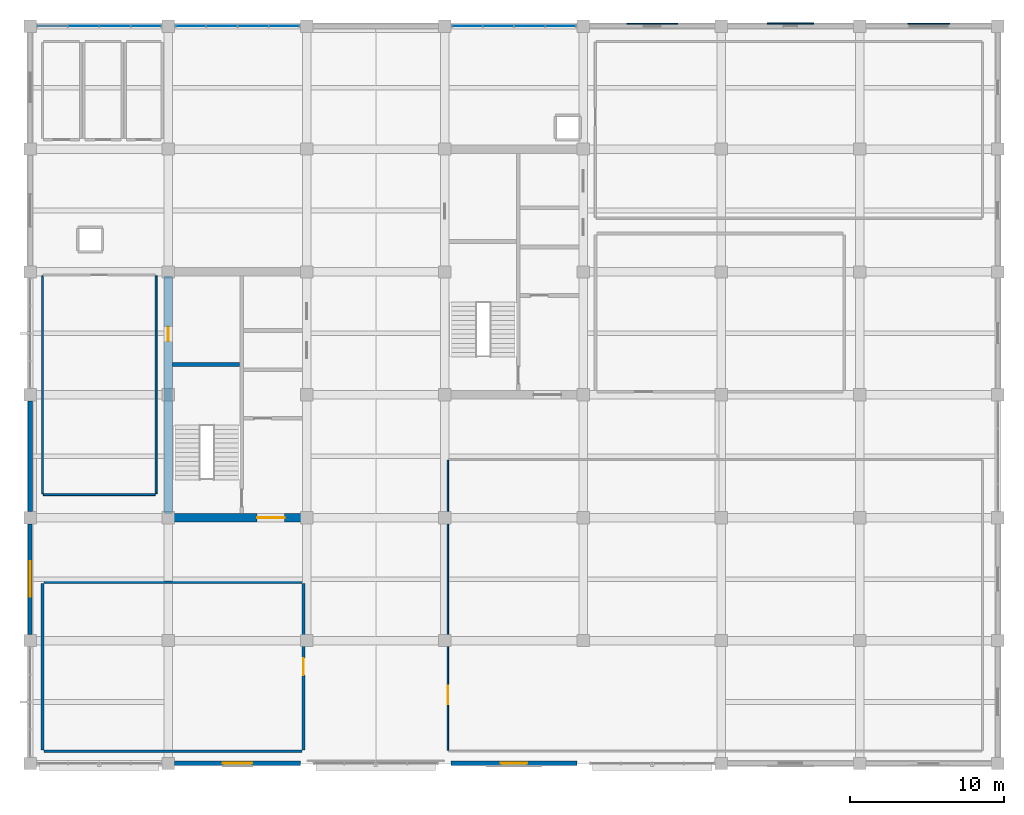
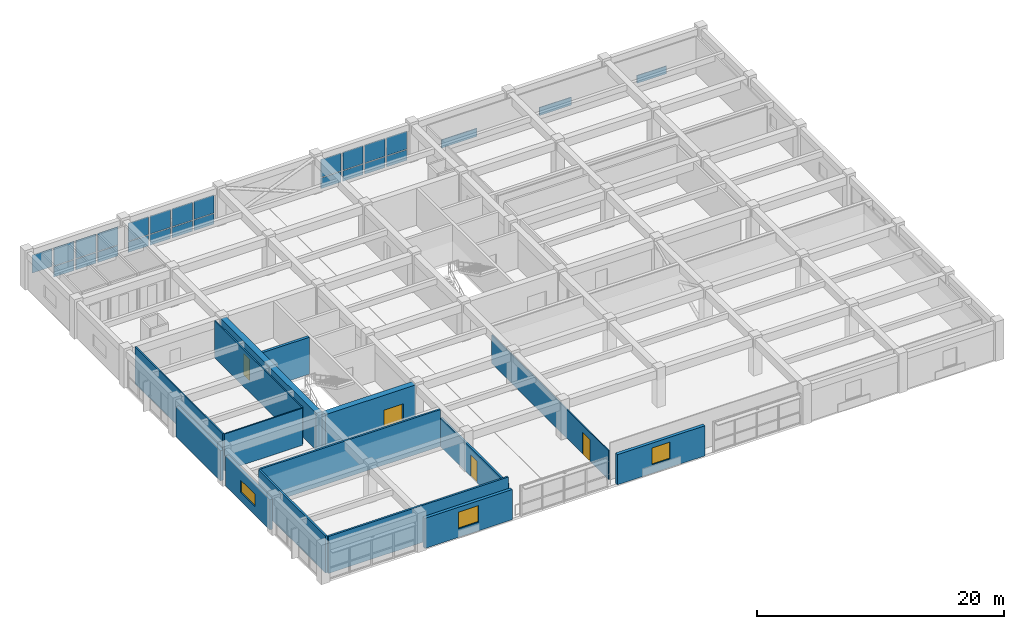
# One storey, part 12 of 16: 26 plates, 15 walls, 4 doors, 3 windows, 7 openings, 3 elements without a shape of their own.
"""IFC4 building model written with IfcOpenShell, lengths in metres."""

from ifc_helpers import new_model, si_unit, direction, frame, frame_2d, origin, place, context, subcontext, project, spatial, rectangle, extrude, material, layer, layer_set, type_object, element, fill, aggregate, save


model = new_model("IFC4")

# Units and contexts
model_context = context("Model", 3, precision=1e-05, world=origin(), true_north=direction((0.0, 1.0)))
body_context = subcontext(model_context, "Body", "Model", "MODEL_VIEW")
ifc_project = project(units=[si_unit("LENGTHUNIT", "METRE"), si_unit("AREAUNIT", "SQUARE_METRE"), si_unit("VOLUMEUNIT", "CUBIC_METRE"), si_unit("PLANEANGLEUNIT", "RADIAN"), si_unit("MASSUNIT", "GRAM", prefix="KILO")], contexts=[model_context])

# Site, building, storey
site_placement = place(None, origin())
site = spatial("IfcSite", under=ifc_project, at=site_placement, CompositionType="ELEMENT")
building_placement = place(site_placement, origin())
building = spatial("IfcBuilding", under=site, at=building_placement, Name="Zaverband Oceanarium and Marine Research Institute", CompositionType="ELEMENT")
storey_placement = place(building_placement, frame((0.0, 0.0, 37.5)))
storey = spatial("IfcBuildingStorey", under=building, at=storey_placement, Name="L09", CompositionType="ELEMENT", Elevation=37.5)

# Curtain wall, plates
ifc_material_1 = material(Name="Thermally broken anodized aluminium and solar-control glass", Category="aluminium")
curtain_wall_type = type_object("IfcCurtainWallType", Name="CW-UNIT-1800", PredefinedType="NOTDEFINED", material=ifc_material_1)
curtain_wall_1_placement = place(storey_placement, origin())
curtain_wall_1 = element("IfcCurtainWall", 1, at=curtain_wall_1_placement, inside=storey, type_object=curtain_wall_type, Name="Unitised glazed curtain wall CW-106", PredefinedType="NOTDEFINED")
ifc_material_2 = material(Name="Low-E double-glazed solar-control glass", Category="glass")
ifc_layer_1 = layer(ifc_material_2, 0.033935546875, Name="Low-E double-glazed solar-control glass")
ifc_layer_set_1 = layer_set([ifc_layer_1], Name="Low-E double-glazed solar-control glass")
plate_type_1 = type_object("IfcPlateType", Name="CWP-1820x1043", PredefinedType="CURTAIN_PANEL", material=ifc_layer_set_1)
plate_1_placement = place(storey_placement, frame((11.532470703125, 112.0, 0.050048828125), z_axis=(0.0, 0.0, 1.0), x_axis=(1.0, 0.0, 0.0)))
plate_1 = element("IfcPlate", 2, at=plate_1_placement, type_object=plate_type_1, Name="Glazed curtain wall panel CWP-1820x1043", PredefinedType="CURTAIN_PANEL", context=body_context, shape_type="SweptSolid", body=[
    extrude(rectangle(XDim=1.887451171875, YDim=0.033935546875, at=frame_2d((0.94384765625, 0.0))), origin(), (0.0, 0.0, 1.0), 1.04296875),
])
plate_2_placement = place(storey_placement, frame((13.580078125, 112.0, 0.050048828125), z_axis=(0.0, 0.0, 1.0), x_axis=(1.0, 0.0, 0.0)))
plate_2 = element("IfcPlate", 3, at=plate_2_placement, type_object=plate_type_1, Name="Glazed curtain wall panel CWP-1820x1043", PredefinedType="CURTAIN_PANEL", context=body_context, shape_type="SweptSolid", body=[
    extrude(rectangle(XDim=1.887451171875, YDim=0.033935546875, at=frame_2d((0.94384765625, 0.0))), origin(), (0.0, 0.0, 1.0), 1.04296875),
])
plate_3_placement = place(storey_placement, frame((15.62744140625, 112.0, 0.050048828125), z_axis=(0.0, 0.0, 1.0), x_axis=(1.0, 0.0, 0.0)))
plate_3 = element("IfcPlate", 4, at=plate_3_placement, type_object=plate_type_1, Name="Glazed curtain wall panel CWP-1820x1043", PredefinedType="CURTAIN_PANEL", context=body_context, shape_type="SweptSolid", body=[
    extrude(rectangle(XDim=1.887451171875, YDim=0.033935546875, at=frame_2d((0.94384765625, 0.0))), origin(), (0.0, 0.0, 1.0), 1.04296875),
])

curtain_wall_2_placement = place(storey_placement, origin())
curtain_wall_2 = element("IfcCurtainWall", 5, at=curtain_wall_2_placement, inside=storey, type_object=curtain_wall_type, Name="Unitised glazed curtain wall CW-107", PredefinedType="NOTDEFINED")
plate_4_placement = place(storey_placement, frame((18.485107421875, 112.0, 0.050048828125), z_axis=(0.0, 0.0, 1.0), x_axis=(1.0, 0.0, 0.0)))
plate_4 = element("IfcPlate", 6, at=plate_4_placement, type_object=plate_type_1, Name="Glazed curtain wall panel CWP-1820x1043", PredefinedType="CURTAIN_PANEL", context=body_context, shape_type="SweptSolid", body=[
    extrude(rectangle(XDim=1.887451171875, YDim=0.033935546875, at=frame_2d((0.94384765625, 0.0))), origin(), (0.0, 0.0, 1.0), 1.04296875),
])
plate_5_placement = place(storey_placement, frame((20.532470703125, 112.0, 0.050048828125), z_axis=(0.0, 0.0, 1.0), x_axis=(1.0, 0.0, 0.0)))
plate_5 = element("IfcPlate", 7, at=plate_5_placement, type_object=plate_type_1, Name="Glazed curtain wall panel CWP-1820x1043", PredefinedType="CURTAIN_PANEL", context=body_context, shape_type="SweptSolid", body=[
    extrude(rectangle(XDim=1.887451171875, YDim=0.033935546875, at=frame_2d((0.94384765625, 0.0))), origin(), (0.0, 0.0, 1.0), 1.04296875),
])
plate_6_placement = place(storey_placement, frame((22.580078125, 112.0, 0.050048828125), z_axis=(0.0, 0.0, 1.0), x_axis=(1.0, 0.0, 0.0)))
plate_6 = element("IfcPlate", 8, at=plate_6_placement, type_object=plate_type_1, Name="Glazed curtain wall panel CWP-1820x1043", PredefinedType="CURTAIN_PANEL", context=body_context, shape_type="SweptSolid", body=[
    extrude(rectangle(XDim=1.887451171875, YDim=0.033935546875, at=frame_2d((0.94384765625, 0.0))), origin(), (0.0, 0.0, 1.0), 1.04296875),
])
plate_7_placement = place(storey_placement, frame((24.62744140625, 112.0, 0.050048828125), z_axis=(0.0, 0.0, 1.0), x_axis=(1.0, 0.0, 0.0)))
plate_7 = element("IfcPlate", 9, at=plate_7_placement, type_object=plate_type_1, Name="Glazed curtain wall panel CWP-1820x1043", PredefinedType="CURTAIN_PANEL", context=body_context, shape_type="SweptSolid", body=[
    extrude(rectangle(XDim=1.887451171875, YDim=0.033935546875, at=frame_2d((0.94384765625, 0.0))), origin(), (0.0, 0.0, 1.0), 1.04296875),
])

curtain_wall_3_placement = place(storey_placement, origin())
curtain_wall_3 = element("IfcCurtainWall", 10, at=curtain_wall_3_placement, inside=storey, type_object=curtain_wall_type, Name="Unitised glazed curtain wall CW-108", PredefinedType="NOTDEFINED")
plate_8_placement = place(storey_placement, frame((36.485107421875, 112.0, 0.050048828125), z_axis=(0.0, 0.0, 1.0), x_axis=(1.0, 0.0, 0.0)))
plate_8 = element("IfcPlate", 11, at=plate_8_placement, type_object=plate_type_1, Name="Glazed curtain wall panel CWP-1820x1043", PredefinedType="CURTAIN_PANEL", context=body_context, shape_type="SweptSolid", body=[
    extrude(rectangle(XDim=1.887451171875, YDim=0.033935546875, at=frame_2d((0.94384765625, 0.0))), origin(), (0.0, 0.0, 1.0), 1.04296875),
])
plate_9_placement = place(storey_placement, frame((38.532470703125, 112.0, 0.050048828125), z_axis=(0.0, 0.0, 1.0), x_axis=(1.0, 0.0, 0.0)))
plate_9 = element("IfcPlate", 12, at=plate_9_placement, type_object=plate_type_1, Name="Glazed curtain wall panel CWP-1820x1043", PredefinedType="CURTAIN_PANEL", context=body_context, shape_type="SweptSolid", body=[
    extrude(rectangle(XDim=1.887451171875, YDim=0.033935546875, at=frame_2d((0.94384765625, 0.0))), origin(), (0.0, 0.0, 1.0), 1.04296875),
])
plate_10_placement = place(storey_placement, frame((40.580078125, 112.0, 0.050048828125), z_axis=(0.0, 0.0, 1.0), x_axis=(1.0, 0.0, 0.0)))
plate_10 = element("IfcPlate", 13, at=plate_10_placement, type_object=plate_type_1, Name="Glazed curtain wall panel CWP-1820x1043", PredefinedType="CURTAIN_PANEL", context=body_context, shape_type="SweptSolid", body=[
    extrude(rectangle(XDim=1.887451171875, YDim=0.033935546875, at=frame_2d((0.94384765625, 0.0))), origin(), (0.0, 0.0, 1.0), 1.04296875),
])
plate_11_placement = place(storey_placement, frame((42.62744140625, 112.0, 0.050048828125), z_axis=(0.0, 0.0, 1.0), x_axis=(1.0, 0.0, 0.0)))
plate_11 = element("IfcPlate", 14, at=plate_11_placement, type_object=plate_type_1, Name="Glazed curtain wall panel CWP-1820x1043", PredefinedType="CURTAIN_PANEL", context=body_context, shape_type="SweptSolid", body=[
    extrude(rectangle(XDim=1.887451171875, YDim=0.033935546875, at=frame_2d((0.94384765625, 0.0))), origin(), (0.0, 0.0, 1.0), 1.04296875),
])

# Plate
ifc_layer_2 = layer(ifc_material_2, 0.035888671875, Name="Low-E double-glazed solar-control glass")
ifc_layer_set_2 = layer_set([ifc_layer_2], Name="Low-E double-glazed solar-control glass")
plate_type_2 = type_object("IfcPlateType", Name="CWP-1820x1777", PredefinedType="CURTAIN_PANEL", material=ifc_layer_set_2)
plate_12_placement = place(storey_placement, frame((9.485107421875, 112.0, 1.1630859375), z_axis=(0.0, 0.0, 1.0), x_axis=(1.0, 0.0, 0.0)))
plate_12 = element("IfcPlate", 15, at=plate_12_placement, type_object=plate_type_2, Name="Glazed curtain wall panel CWP-1820x1777", PredefinedType="CURTAIN_PANEL", context=body_context, shape_type="SweptSolid", body=[
    extrude(rectangle(XDim=1.887451171875, YDim=0.035888671875, at=frame_2d((0.94384765625, 0.0))), origin(), (0.0, 0.0, 1.0), 1.77685546875),
])

plate_13_placement = place(storey_placement, frame((11.532470703125, 112.0, 1.1630859375), z_axis=(0.0, 0.0, 1.0), x_axis=(1.0, 0.0, 0.0)))
plate_13 = element("IfcPlate", 16, at=plate_13_placement, type_object=plate_type_2, Name="Glazed curtain wall panel CWP-1820x1777", PredefinedType="CURTAIN_PANEL", context=body_context, shape_type="SweptSolid", body=[
    extrude(rectangle(XDim=1.887451171875, YDim=0.035888671875, at=frame_2d((0.94384765625, 0.0))), origin(), (0.0, 0.0, 1.0), 1.77685546875),
])

plate_14_placement = place(storey_placement, frame((13.580078125, 112.0, 1.1630859375), z_axis=(0.0, 0.0, 1.0), x_axis=(1.0, 0.0, 0.0)))
plate_14 = element("IfcPlate", 17, at=plate_14_placement, type_object=plate_type_2, Name="Glazed curtain wall panel CWP-1820x1777", PredefinedType="CURTAIN_PANEL", context=body_context, shape_type="SweptSolid", body=[
    extrude(rectangle(XDim=1.887451171875, YDim=0.035888671875, at=frame_2d((0.94384765625, 0.0))), origin(), (0.0, 0.0, 1.0), 1.77685546875),
])

plate_15_placement = place(storey_placement, frame((15.62744140625, 112.0, 1.1630859375), z_axis=(0.0, 0.0, 1.0), x_axis=(1.0, 0.0, 0.0)))
plate_15 = element("IfcPlate", 18, at=plate_15_placement, type_object=plate_type_2, Name="Glazed curtain wall panel CWP-1820x1777", PredefinedType="CURTAIN_PANEL", context=body_context, shape_type="SweptSolid", body=[
    extrude(rectangle(XDim=1.887451171875, YDim=0.035888671875, at=frame_2d((0.94384765625, 0.0))), origin(), (0.0, 0.0, 1.0), 1.77685546875),
])

aggregate(curtain_wall_1, [plate_12, plate_1, plate_13, plate_2, plate_14, plate_3, plate_15])

plate_16_placement = place(storey_placement, frame((18.485107421875, 112.0, 1.1630859375), z_axis=(0.0, 0.0, 1.0), x_axis=(1.0, 0.0, 0.0)))
plate_16 = element("IfcPlate", 19, at=plate_16_placement, type_object=plate_type_2, Name="Glazed curtain wall panel CWP-1820x1777", PredefinedType="CURTAIN_PANEL", context=body_context, shape_type="SweptSolid", body=[
    extrude(rectangle(XDim=1.887451171875, YDim=0.035888671875, at=frame_2d((0.94384765625, 0.0))), origin(), (0.0, 0.0, 1.0), 1.77685546875),
])

plate_17_placement = place(storey_placement, frame((20.532470703125, 112.0, 1.1630859375), z_axis=(0.0, 0.0, 1.0), x_axis=(1.0, 0.0, 0.0)))
plate_17 = element("IfcPlate", 20, at=plate_17_placement, type_object=plate_type_2, Name="Glazed curtain wall panel CWP-1820x1777", PredefinedType="CURTAIN_PANEL", context=body_context, shape_type="SweptSolid", body=[
    extrude(rectangle(XDim=1.887451171875, YDim=0.035888671875, at=frame_2d((0.94384765625, 0.0))), origin(), (0.0, 0.0, 1.0), 1.77685546875),
])

plate_18_placement = place(storey_placement, frame((22.580078125, 112.0, 1.1630859375), z_axis=(0.0, 0.0, 1.0), x_axis=(1.0, 0.0, 0.0)))
plate_18 = element("IfcPlate", 21, at=plate_18_placement, type_object=plate_type_2, Name="Glazed curtain wall panel CWP-1820x1777", PredefinedType="CURTAIN_PANEL", context=body_context, shape_type="SweptSolid", body=[
    extrude(rectangle(XDim=1.887451171875, YDim=0.035888671875, at=frame_2d((0.94384765625, 0.0))), origin(), (0.0, 0.0, 1.0), 1.77685546875),
])

plate_19_placement = place(storey_placement, frame((24.62744140625, 112.0, 1.1630859375), z_axis=(0.0, 0.0, 1.0), x_axis=(1.0, 0.0, 0.0)))
plate_19 = element("IfcPlate", 22, at=plate_19_placement, type_object=plate_type_2, Name="Glazed curtain wall panel CWP-1820x1777", PredefinedType="CURTAIN_PANEL", context=body_context, shape_type="SweptSolid", body=[
    extrude(rectangle(XDim=1.887451171875, YDim=0.035888671875, at=frame_2d((0.94384765625, 0.0))), origin(), (0.0, 0.0, 1.0), 1.77685546875),
])

aggregate(curtain_wall_2, [plate_4, plate_16, plate_5, plate_17, plate_6, plate_18, plate_7, plate_19])

plate_20_placement = place(storey_placement, frame((36.485107421875, 112.0, 1.1630859375), z_axis=(0.0, 0.0, 1.0), x_axis=(1.0, 0.0, 0.0)))
plate_20 = element("IfcPlate", 23, at=plate_20_placement, type_object=plate_type_2, Name="Glazed curtain wall panel CWP-1820x1777", PredefinedType="CURTAIN_PANEL", context=body_context, shape_type="SweptSolid", body=[
    extrude(rectangle(XDim=1.887451171875, YDim=0.035888671875, at=frame_2d((0.94384765625, 0.0))), origin(), (0.0, 0.0, 1.0), 1.77685546875),
])

plate_21_placement = place(storey_placement, frame((38.532470703125, 112.0, 1.1630859375), z_axis=(0.0, 0.0, 1.0), x_axis=(1.0, 0.0, 0.0)))
plate_21 = element("IfcPlate", 24, at=plate_21_placement, type_object=plate_type_2, Name="Glazed curtain wall panel CWP-1820x1777", PredefinedType="CURTAIN_PANEL", context=body_context, shape_type="SweptSolid", body=[
    extrude(rectangle(XDim=1.887451171875, YDim=0.035888671875, at=frame_2d((0.94384765625, 0.0))), origin(), (0.0, 0.0, 1.0), 1.77685546875),
])

plate_22_placement = place(storey_placement, frame((40.580078125, 112.0, 1.1630859375), z_axis=(0.0, 0.0, 1.0), x_axis=(1.0, 0.0, 0.0)))
plate_22 = element("IfcPlate", 25, at=plate_22_placement, type_object=plate_type_2, Name="Glazed curtain wall panel CWP-1820x1777", PredefinedType="CURTAIN_PANEL", context=body_context, shape_type="SweptSolid", body=[
    extrude(rectangle(XDim=1.887451171875, YDim=0.035888671875, at=frame_2d((0.94384765625, 0.0))), origin(), (0.0, 0.0, 1.0), 1.77685546875),
])

plate_23_placement = place(storey_placement, frame((42.62744140625, 112.0, 1.1630859375), z_axis=(0.0, 0.0, 1.0), x_axis=(1.0, 0.0, 0.0)))
plate_23 = element("IfcPlate", 26, at=plate_23_placement, type_object=plate_type_2, Name="Glazed curtain wall panel CWP-1820x1777", PredefinedType="CURTAIN_PANEL", context=body_context, shape_type="SweptSolid", body=[
    extrude(rectangle(XDim=1.887451171875, YDim=0.035888671875, at=frame_2d((0.94384765625, 0.0))), origin(), (0.0, 0.0, 1.0), 1.77685546875),
])

aggregate(curtain_wall_3, [plate_8, plate_20, plate_9, plate_21, plate_10, plate_22, plate_11, plate_23])

# Plates
ifc_material_3 = material(Name="Concrete C40/50 precast ochre", Category="concrete")
ifc_layer_3 = layer(ifc_material_3, 0.080078125, Name="Concrete C40/50 precast ochre")
ifc_layer_set_3 = layer_set([ifc_layer_3], Name="Concrete C40/50 precast ochre")
plate_type_3 = type_object("IfcPlateType", Name="FRP-2750x760", PredefinedType="USERDEFINED", material=ifc_layer_set_3)
plate_24_placement = place(storey_placement, frame((66.125, 112.157470703125, 0.0), z_axis=(0.0, 0.0, 1.0), x_axis=(1.0, 0.0, 0.0)))
element("IfcPlate", 27, at=plate_24_placement, inside=storey, type_object=plate_type_3, Name="Geometric precast facade cladding panel FRP-2750x760", ObjectType="FLANGE_PLATE", PredefinedType="USERDEFINED", context=body_context, shape_type="SweptSolid", body=[
    extrude(rectangle(XDim=2.75, YDim=0.080078125, at=frame_2d((1.375, 0.0))), origin(), (0.0, 0.0, 1.0), 0.760009765625),
])
ifc_layer_4 = layer(ifc_material_3, 0.080078125, Name="Concrete C40/50 precast ochre")
ifc_layer_set_4 = layer_set([ifc_layer_4], Name="Concrete C40/50 precast ochre")
plate_type_4 = type_object("IfcPlateType", Name="FRP-3000x780", PredefinedType="USERDEFINED", material=ifc_layer_set_4)
plate_25_placement = place(storey_placement, frame((57.0, 112.169921875, 0.0), z_axis=(0.0, 0.0, 1.0), x_axis=(1.0, 0.0, 0.0)))
element("IfcPlate", 28, at=plate_25_placement, inside=storey, type_object=plate_type_4, Name="Geometric precast facade cladding panel FRP-3000x780", ObjectType="FLANGE_PLATE", PredefinedType="USERDEFINED", context=body_context, shape_type="SweptSolid", body=[
    extrude(rectangle(XDim=3.0, YDim=0.080078125, at=frame_2d((1.5, 0.0))), origin(), (0.0, 0.0, 1.0), 0.780029296875),
])
ifc_layer_5 = layer(ifc_material_3, 0.0849609375, Name="Concrete C40/50 precast ochre")
ifc_layer_set_5 = layer_set([ifc_layer_5], Name="Concrete C40/50 precast ochre")
plate_type_5 = type_object("IfcPlateType", Name="FRP-3300x800", PredefinedType="USERDEFINED", material=ifc_layer_set_5)
plate_26_placement = place(storey_placement, frame((47.85009765625, 112.159912109375, 0.0), z_axis=(0.0, 0.0, 1.0), x_axis=(1.0, 0.0, 0.0)))
element("IfcPlate", 29, at=plate_26_placement, inside=storey, type_object=plate_type_5, Name="Geometric precast facade cladding panel FRP-3300x800", ObjectType="FLANGE_PLATE", PredefinedType="USERDEFINED", context=body_context, shape_type="SweptSolid", body=[
    extrude(rectangle(XDim=3.2998046875, YDim=0.0849609375, at=frame_2d((1.64990234375, 0.0))), origin(), (0.0, 0.0, 1.0), 0.800048828125),
])

# Wall, opening, door
ifc_material_4 = material(Name="Concrete C50/60", Category="concrete")
ifc_layer_6 = layer(ifc_material_4, 0.550048828125, Name="Concrete C50/60")
ifc_layer_set_6 = layer_set([ifc_layer_6], Name="Concrete C50/60")
wall_type_1 = type_object("IfcWallType", Name="CW-01", PredefinedType="SHEAR", material=ifc_layer_set_6)
wall_1_placement = place(storey_placement, frame((18.27490234375, 80.0, 0.0), z_axis=(0.0, 0.0, 1.0), x_axis=(1.0, 0.0, 0.0)))
wall_1 = element("IfcWall", 30, at=wall_1_placement, inside=storey, type_object=wall_type_1, Name="Structural shear wall CW-01", PredefinedType="SHEAR", context=body_context, shape_type="SweptSolid", body=[
    extrude(rectangle(XDim=8.4501953125, YDim=0.550048828125, at=frame_2d((4.22509765625, 0.0))), origin(), (0.0, 0.0, 1.0), 3.64990234375),
])
opening_1_placement = place(wall_1_placement, frame((5.5, 0.0, 0.0)))
opening_1 = element("IfcOpeningElement", 31, at=opening_1_placement, cuts=wall_1, Name="Opening FD-02", PredefinedType="OPENING", context=body_context, shape_type="SweptSolid", body=[
    extrude(rectangle(XDim=1.800048828125, YDim=2.179931640625, at=frame_2d((0.89990234375, 1.08984375))), frame((0.0, 0.287109375, 0.0), z_axis=(0.0, -1.0, 0.0), x_axis=(1.0, 0.0, 0.0)), (0.0, 0.0, 1.0), 0.573974609375),
])
ifc_material_5 = material(Name="Steel S355", Category="steel")
door_type_1 = type_object("IfcDoorType", Name="FD-02", OperationType="DOUBLE_DOOR_SINGLE_SWING", PredefinedType="DOOR", material=ifc_material_5)
door_1_placement = place(opening_1_placement, origin())
door_1 = element("IfcDoor", 32, at=door_1_placement, inside=storey, type_object=door_type_1, Name="Protected lobby double fire door FD-02", OperationType="DOUBLE_DOOR_SINGLE_SWING", OverallHeight=2.179931640625, OverallWidth=1.800048828125, PredefinedType="DOOR", context=body_context, shape_type="SweptSolid", body=[
    extrude(rectangle(XDim=1.800048828125, YDim=2.179931640625, at=frame_2d((0.89990234375, 1.08984375))), frame((0.0, 0.02490234375, 0.0), z_axis=(0.0, -1.0, 0.0), x_axis=(1.0, 0.0, 0.0)), (0.0, 0.0, 1.0), 0.050048828125),
])
fill(opening_1, door_1)

wall_2_placement = place(storey_placement, frame((18.0, 80.27490234375, 0.0), z_axis=(0.0, 0.0, 1.0), x_axis=(0.0, 1.0, 0.0)))
wall_2 = element("IfcWall", 33, at=wall_2_placement, inside=storey, type_object=wall_type_1, Name="Structural shear wall CW-01", PredefinedType="SHEAR", context=body_context, shape_type="SweptSolid", body=[
    extrude(rectangle(XDim=15.4501953125, YDim=0.550048828125, at=frame_2d((7.72509765625, 0.0))), origin(), (0.0, 0.0, 1.0), 3.64990234375),
])
opening_2_placement = place(wall_2_placement, frame((11.199951171875, 0.0, 0.0)))
opening_2 = element("IfcOpeningElement", 34, at=opening_2_placement, cuts=wall_2, Name="Opening FD-03", PredefinedType="OPENING", context=body_context, shape_type="SweptSolid", body=[
    extrude(rectangle(XDim=0.949951171875, YDim=2.10009765625, at=frame_2d((0.47509765625, 1.050048828125))), frame((0.0, 0.287109375, 0.0), z_axis=(0.0, -1.0, 0.0), x_axis=(1.0, 0.0, 0.0)), (0.0, 0.0, 1.0), 0.573974609375),
])
door_type_2 = type_object("IfcDoorType", Name="FD-03", OperationType="NOTDEFINED", PredefinedType="DOOR", material=ifc_material_5)
door_2_placement = place(opening_2_placement, origin())
door_2 = element("IfcDoor", 35, at=door_2_placement, inside=storey, type_object=door_type_2, Name="Service riser access fire door FD-03", OperationType="SINGLE_SWING_RIGHT", OverallHeight=2.10009765625, OverallWidth=0.949951171875, PredefinedType="DOOR", context=body_context, shape_type="SweptSolid", body=[
    extrude(rectangle(XDim=0.949951171875, YDim=2.10009765625, at=frame_2d((0.47509765625, 1.050048828125))), frame((0.0, 0.02490234375, 0.0), z_axis=(0.0, -1.0, 0.0), x_axis=(1.0, 0.0, 0.0)), (0.0, 0.0, 1.0), 0.050048828125),
])
fill(opening_2, door_2)

# Wall, opening, window
ifc_material_6 = material(Name="Concrete C40/50 precast", Category="concrete")
ifc_layer_7 = layer(ifc_material_6, 0.264892578125, Name="Concrete C40/50 precast")
ifc_layer_set_7 = layer_set([ifc_layer_7], Name="Concrete C40/50 precast")
wall_type_2 = type_object("IfcWallType", Name="EW-265", PredefinedType="STANDARD", material=ifc_layer_set_7)
wall_3_placement = place(storey_placement, frame((9.0, 72.405029296875, 0.0), z_axis=(0.0, 0.0, 1.0), x_axis=(0.0, 1.0, 0.0)))
wall_3 = element("IfcWall", 36, at=wall_3_placement, inside=storey, type_object=wall_type_2, Name="Exterior infill wall EW-265", PredefinedType="STANDARD", context=body_context, shape_type="SweptSolid", body=[
    extrude(rectangle(XDim=7.18994140625, YDim=0.264892578125, at=frame_2d((3.594970703125, 0.0))), origin(), (0.0, 0.0, 1.0), 2.97998046875),
])
opening_3_placement = place(wall_3_placement, frame((2.445068359375, 0.0, 0.85009765625)))
opening_3 = element("IfcOpeningElement", 37, at=opening_3_placement, cuts=wall_3, Name="Opening WN-2300x1200", PredefinedType="OPENING", context=body_context, shape_type="SweptSolid", body=[
    extrude(rectangle(XDim=2.300048828125, YDim=1.199951171875, at=frame_2d((1.14990234375, 0.60009765625))), frame((0.0, 0.14453125, 0.0), z_axis=(0.0, -1.0, 0.0), x_axis=(1.0, 0.0, 0.0)), (0.0, 0.0, 1.0), 0.288818359375),
])
window_type_1 = type_object("IfcWindowType", Name="WN-2300x1200", PartitioningType="SINGLE_PANEL", PredefinedType="WINDOW", material=ifc_material_1)
window_1_placement = place(opening_3_placement, origin())
window_1 = element("IfcWindow", 38, at=window_1_placement, inside=storey, type_object=window_type_1, Name="Fixed / casement exterior window WN-2300x1200", OverallHeight=1.199951171875, OverallWidth=2.300048828125, PartitioningType="SINGLE_PANEL", PredefinedType="WINDOW", context=body_context, shape_type="SweptSolid", body=[
    extrude(rectangle(XDim=2.300048828125, YDim=1.199951171875, at=frame_2d((1.14990234375, 0.60009765625))), frame((0.0, 0.030029296875, 0.0), z_axis=(0.0, -1.0, 0.0), x_axis=(1.0, 0.0, 0.0)), (0.0, 0.0, 1.0), 0.06005859375),
])
fill(opening_3, window_1)

ifc_layer_8 = layer(ifc_material_6, 0.2900390625, Name="Concrete C40/50 precast")
ifc_layer_set_8 = layer_set([ifc_layer_8], Name="Concrete C40/50 precast")
wall_type_3 = type_object("IfcWallType", Name="EW-290", PredefinedType="STANDARD", material=ifc_layer_set_8)
wall_4_placement = place(storey_placement, frame((18.405029296875, 64.0, 0.0), z_axis=(0.0, 0.0, 1.0), x_axis=(1.0, 0.0, 0.0)))
wall_4 = element("IfcWall", 39, at=wall_4_placement, inside=storey, type_object=wall_type_3, Name="Exterior infill wall EW-290", PredefinedType="STANDARD", context=body_context, shape_type="SweptSolid", body=[
    extrude(rectangle(XDim=8.18994140625, YDim=0.2900390625, at=frame_2d((4.094970703125, 0.0))), origin(), (0.0, 0.0, 1.0), 2.97998046875),
])
opening_4_placement = place(wall_4_placement, frame((3.14501953125, 0.0, 0.85009765625)))
opening_4 = element("IfcOpeningElement", 40, at=opening_4_placement, cuts=wall_4, Name="Opening WN-1900x1650", PredefinedType="OPENING", context=body_context, shape_type="SweptSolid", body=[
    extrude(rectangle(XDim=1.89990234375, YDim=1.64990234375, at=frame_2d((0.949951171875, 0.824951171875))), frame((0.0, 0.156982421875, 0.0), z_axis=(0.0, -1.0, 0.0), x_axis=(1.0, 0.0, 0.0)), (0.0, 0.0, 1.0), 0.31396484375),
])
window_type_2 = type_object("IfcWindowType", Name="WN-1900x1650", PartitioningType="SINGLE_PANEL", PredefinedType="WINDOW", material=ifc_material_1)
window_2_placement = place(opening_4_placement, origin())
window_2 = element("IfcWindow", 41, at=window_2_placement, inside=storey, type_object=window_type_2, Name="Fixed / casement exterior window WN-1900x1650", OverallHeight=1.64990234375, OverallWidth=1.89990234375, PartitioningType="SINGLE_PANEL", PredefinedType="WINDOW", context=body_context, shape_type="SweptSolid", body=[
    extrude(rectangle(XDim=1.89990234375, YDim=1.64990234375, at=frame_2d((0.949951171875, 0.824951171875))), frame((0.0, 0.030029296875, 0.0), z_axis=(0.0, -1.0, 0.0), x_axis=(1.0, 0.0, 0.0)), (0.0, 0.0, 1.0), 0.06005859375),
])
fill(opening_4, window_2)

wall_5_placement = place(storey_placement, frame((36.405029296875, 64.0, 0.0), z_axis=(0.0, 0.0, 1.0), x_axis=(1.0, 0.0, 0.0)))
wall_5 = element("IfcWall", 42, at=wall_5_placement, inside=storey, type_object=wall_type_3, Name="Exterior infill wall EW-290", PredefinedType="STANDARD", context=body_context, shape_type="SweptSolid", body=[
    extrude(rectangle(XDim=8.18994140625, YDim=0.2900390625, at=frame_2d((4.094970703125, 0.0))), origin(), (0.0, 0.0, 1.0), 2.97998046875),
])
opening_5_placement = place(wall_5_placement, frame((3.2451171875, 0.0, 0.85009765625)))
opening_5 = element("IfcOpeningElement", 43, at=opening_5_placement, cuts=wall_5, Name="Opening WN-1700x1650", PredefinedType="OPENING", context=body_context, shape_type="SweptSolid", body=[
    extrude(rectangle(XDim=1.699951171875, YDim=1.64990234375, at=frame_2d((0.85009765625, 0.824951171875))), frame((0.0, 0.156982421875, 0.0), z_axis=(0.0, -1.0, 0.0), x_axis=(1.0, 0.0, 0.0)), (0.0, 0.0, 1.0), 0.31396484375),
])
window_type_3 = type_object("IfcWindowType", Name="WN-1700x1650", PartitioningType="SINGLE_PANEL", PredefinedType="WINDOW", material=ifc_material_1)
window_3_placement = place(opening_5_placement, origin())
window_3 = element("IfcWindow", 44, at=window_3_placement, inside=storey, type_object=window_type_3, Name="Fixed / casement exterior window WN-1700x1650", OverallHeight=1.64990234375, OverallWidth=1.699951171875, PartitioningType="SINGLE_PANEL", PredefinedType="WINDOW", context=body_context, shape_type="SweptSolid", body=[
    extrude(rectangle(XDim=1.699951171875, YDim=1.64990234375, at=frame_2d((0.85009765625, 0.824951171875))), frame((0.0, 0.030029296875, 0.0), z_axis=(0.0, -1.0, 0.0), x_axis=(1.0, 0.0, 0.0)), (0.0, 0.0, 1.0), 0.06005859375),
])
fill(opening_5, window_3)

# Wall
wall_6_placement = place(storey_placement, frame((9.0, 80.405029296875, 0.0), z_axis=(0.0, 0.0, 1.0), x_axis=(0.0, 1.0, 0.0)))
element("IfcWall", 45, at=wall_6_placement, inside=storey, type_object=wall_type_3, Name="Exterior infill wall EW-290", PredefinedType="STANDARD", context=body_context, shape_type="SweptSolid", body=[
    extrude(rectangle(XDim=7.18994140625, YDim=0.2900390625, at=frame_2d((3.594970703125, 0.0))), origin(), (0.0, 0.0, 1.0), 2.97998046875),
])

# Wall, opening, door
ifc_material_7 = material(Name="Framed fire-rated glass laboratory partition", Category="glass")
ifc_layer_9 = layer(ifc_material_7, 0.10009765625, Name="Framed fire-rated glass laboratory partition")
ifc_layer_set_9 = layer_set([ifc_layer_9], Name="Framed fire-rated glass laboratory partition")
wall_type_4 = type_object("IfcWallType", Name="PT-100-GL", PredefinedType="PARTITIONING", material=ifc_layer_set_9)
wall_7_placement = place(storey_placement, frame((36.199951171875, 64.85009765625, 0.0), z_axis=(0.0, 0.0, 1.0), x_axis=(0.0, 1.0, 0.0)))
wall_7 = element("IfcWall", 46, at=wall_7_placement, inside=storey, type_object=wall_type_4, Name="Internal partition PT-100-GL", PredefinedType="PARTITIONING", context=body_context, shape_type="SweptSolid", body=[
    extrude(rectangle(XDim=18.89990234375, YDim=0.10009765625, at=frame_2d((9.449951171875, 0.0))), origin(), (0.0, 0.0, 1.0), 2.85009765625),
])
opening_6_placement = place(wall_7_placement, frame((3.0, 0.0, 0.0)))
opening_6 = element("IfcOpeningElement", 47, at=opening_6_placement, cuts=wall_7, Name="Opening ID-1200x2120", PredefinedType="OPENING", context=body_context, shape_type="SweptSolid", body=[
    extrude(rectangle(XDim=1.199951171875, YDim=2.1201171875, at=frame_2d((0.60009765625, 1.06005859375))), frame((0.0, 0.06201171875, 0.0), z_axis=(0.0, -1.0, 0.0), x_axis=(1.0, 0.0, 0.0)), (0.0, 0.0, 1.0), 0.1240234375),
])
ifc_material_8 = material(Name="Hardwood-veneered acoustic timber", Category="wood")
door_type_3 = type_object("IfcDoorType", Name="ID-1200x2120", OperationType="NOTDEFINED", PredefinedType="DOOR", material=ifc_material_8)
door_3_placement = place(opening_6_placement, origin())
door_3 = element("IfcDoor", 48, at=door_3_placement, inside=storey, type_object=door_type_3, Name="Discovery workshop door ID-1200x2120", OperationType="SINGLE_SWING_RIGHT", OverallHeight=2.1201171875, OverallWidth=1.199951171875, PredefinedType="DOOR", context=body_context, shape_type="SweptSolid", body=[
    extrude(rectangle(XDim=1.199951171875, YDim=2.1201171875, at=frame_2d((0.60009765625, 1.06005859375))), frame((0.0, 0.02490234375, 0.0), z_axis=(0.0, -1.0, 0.0), x_axis=(1.0, 0.0, 0.0)), (0.0, 0.0, 1.0), 0.050048828125),
])
fill(opening_6, door_3)

# Walls
ifc_material_9 = material(Name="Insulated metal-stud office partition")
ifc_layer_10 = layer(ifc_material_9, 0.1201171875, Name="Insulated metal-stud office partition")
ifc_layer_set_10 = layer_set([ifc_layer_10], Name="Insulated metal-stud office partition")
wall_type_5 = type_object("IfcWallType", Name="PT-120-OF", PredefinedType="PARTITIONING", material=ifc_layer_set_10)
wall_8_placement = place(storey_placement, frame((9.860107421875, 81.5, 0.0), z_axis=(0.0, 0.0, 1.0), x_axis=(1.0, 0.0, 0.0)))
element("IfcWall", 49, at=wall_8_placement, inside=storey, type_object=wall_type_5, Name="Internal partition PT-120-OF", PredefinedType="PARTITIONING", context=body_context, shape_type="SweptSolid", body=[
    extrude(rectangle(XDim=7.27978515625, YDim=0.1201171875, at=frame_2d((3.639892578125, 0.0))), origin(), (0.0, 0.0, 1.0), 3.64990234375),
])
for number, where, z_axis, x_axis, name in (
    (50, (9.800048828125, 81.56005859375, 0.0), (0.0, 0.0, 1.0), (0.0, 1.0, 0.0), "Internal partition PT-120-OF"),
    (51, (17.199951171875, 81.56005859375, 0.0), (0.0, 0.0, 1.0), (0.0, 1.0, 0.0), "Internal partition PT-120-OF"),
):
    element("IfcWall", number, at=place(storey_placement, frame(where, z_axis=z_axis, x_axis=x_axis)), inside=storey, type_object=wall_type_5, Name=name, PredefinedType="PARTITIONING", context=body_context, shape_type="SweptSolid", body=[
        extrude(rectangle(XDim=14.179931640625, YDim=0.1201171875, at=frame_2d((7.08984375, 0.0))), origin(), (0.0, 0.0, 1.0), 3.64990234375),
    ])
ifc_material_10 = material(Name="Moisture-resistant laboratory blockwork", Category="masonry")
ifc_layer_11 = layer(ifc_material_10, 0.179931640625, Name="Moisture-resistant laboratory blockwork")
ifc_layer_set_11 = layer_set([ifc_layer_11], Name="Moisture-resistant laboratory blockwork")
wall_type_6 = type_object("IfcWallType", Name="PT-180-LB", PredefinedType="PARTITIONING", material=ifc_layer_set_11)
for number, where, z_axis, x_axis, name in (
    (52, (9.889892578125, 64.800048828125, 0.0), (0.0, 0.0, 1.0), (1.0, 0.0, 0.0), "Internal partition PT-180-LB"),
    (53, (9.889892578125, 75.800048828125, 0.0), (0.0, 0.0, 1.0), (1.0, 0.0, 0.0), "Internal partition PT-180-LB"),
):
    element("IfcWall", number, at=place(storey_placement, frame(where, z_axis=z_axis, x_axis=x_axis)), inside=storey, type_object=wall_type_6, Name=name, PredefinedType="PARTITIONING", context=body_context, shape_type="SweptSolid", body=[
        extrude(rectangle(XDim=16.820068359375, YDim=0.179931640625, at=frame_2d((8.41015625, 0.0))), origin(), (0.0, 0.0, 1.0), 3.64990234375),
    ])
wall_9_placement = place(storey_placement, frame((9.800048828125, 64.889892578125, 0.0), z_axis=(0.0, 0.0, 1.0), x_axis=(0.0, 1.0, 0.0)))
element("IfcWall", 54, at=wall_9_placement, inside=storey, type_object=wall_type_6, Name="Internal partition PT-180-LB", PredefinedType="PARTITIONING", context=body_context, shape_type="SweptSolid", body=[
    extrude(rectangle(XDim=10.820068359375, YDim=0.179931640625, at=frame_2d((5.41015625, 0.0))), origin(), (0.0, 0.0, 1.0), 3.64990234375),
])

# Wall, opening, door
wall_10_placement = place(storey_placement, frame((26.800048828125, 64.889892578125, 0.0), z_axis=(0.0, 0.0, 1.0), x_axis=(0.0, 1.0, 0.0)))
wall_10 = element("IfcWall", 55, at=wall_10_placement, inside=storey, type_object=wall_type_6, Name="Internal partition PT-180-LB", PredefinedType="PARTITIONING", context=body_context, shape_type="SweptSolid", body=[
    extrude(rectangle(XDim=10.820068359375, YDim=0.179931640625, at=frame_2d((5.41015625, 0.0))), origin(), (0.0, 0.0, 1.0), 2.85009765625),
])
opening_7_placement = place(wall_10_placement, frame((4.860107421875, 0.0, 0.0)))
opening_7 = element("IfcOpeningElement", 56, at=opening_7_placement, cuts=wall_10, Name="Opening ID-1100x2120", PredefinedType="OPENING", context=body_context, shape_type="SweptSolid", body=[
    extrude(rectangle(XDim=1.10009765625, YDim=2.1201171875, at=frame_2d((0.550048828125, 1.06005859375))), frame((0.0, 0.10205078125, 0.0), z_axis=(0.0, -1.0, 0.0), x_axis=(1.0, 0.0, 0.0)), (0.0, 0.0, 1.0), 0.203857421875),
])
door_type_4 = type_object("IfcDoorType", Name="ID-1100x2120", OperationType="NOTDEFINED", PredefinedType="DOOR", material=ifc_material_8)
door_4_placement = place(opening_7_placement, origin())
door_4 = element("IfcDoor", 57, at=door_4_placement, inside=storey, type_object=door_type_4, Name="Telemetry laboratory door ID-1100x2120", OperationType="SINGLE_SWING_LEFT", OverallHeight=2.1201171875, OverallWidth=1.10009765625, PredefinedType="DOOR", context=body_context, shape_type="SweptSolid", body=[
    extrude(rectangle(XDim=1.10009765625, YDim=2.1201171875, at=frame_2d((0.550048828125, 1.06005859375))), frame((0.0, 0.02490234375, 0.0), z_axis=(0.0, -1.0, 0.0), x_axis=(1.0, 0.0, 0.0)), (0.0, 0.0, 1.0), 0.050048828125),
])
fill(opening_7, door_4)

# Wall
ifc_layer_12 = layer(ifc_material_4, 0.25, Name="Concrete C50/60")
ifc_layer_set_12 = layer_set([ifc_layer_12], Name="Concrete C50/60")
wall_type_7 = type_object("IfcWallType", Name="PW-CORE-250", PredefinedType="SOLIDWALL", material=ifc_layer_set_12)
wall_11_placement = place(storey_placement, frame((18.27490234375, 89.97509765625, 0.0), z_axis=(0.0, 0.0, 1.0), x_axis=(1.0, 0.0, 0.0)))
element("IfcWall", 58, at=wall_11_placement, inside=storey, type_object=wall_type_7, Name="Structural concrete wall PW-CORE-250", PredefinedType="SOLIDWALL", context=body_context, shape_type="SweptSolid", body=[
    extrude(rectangle(XDim=4.3701171875, YDim=0.25, at=frame_2d((2.18505859375, 0.0))), origin(), (0.0, 0.0, 1.0), 3.64990234375),
])

save(model, "model.ifc")
